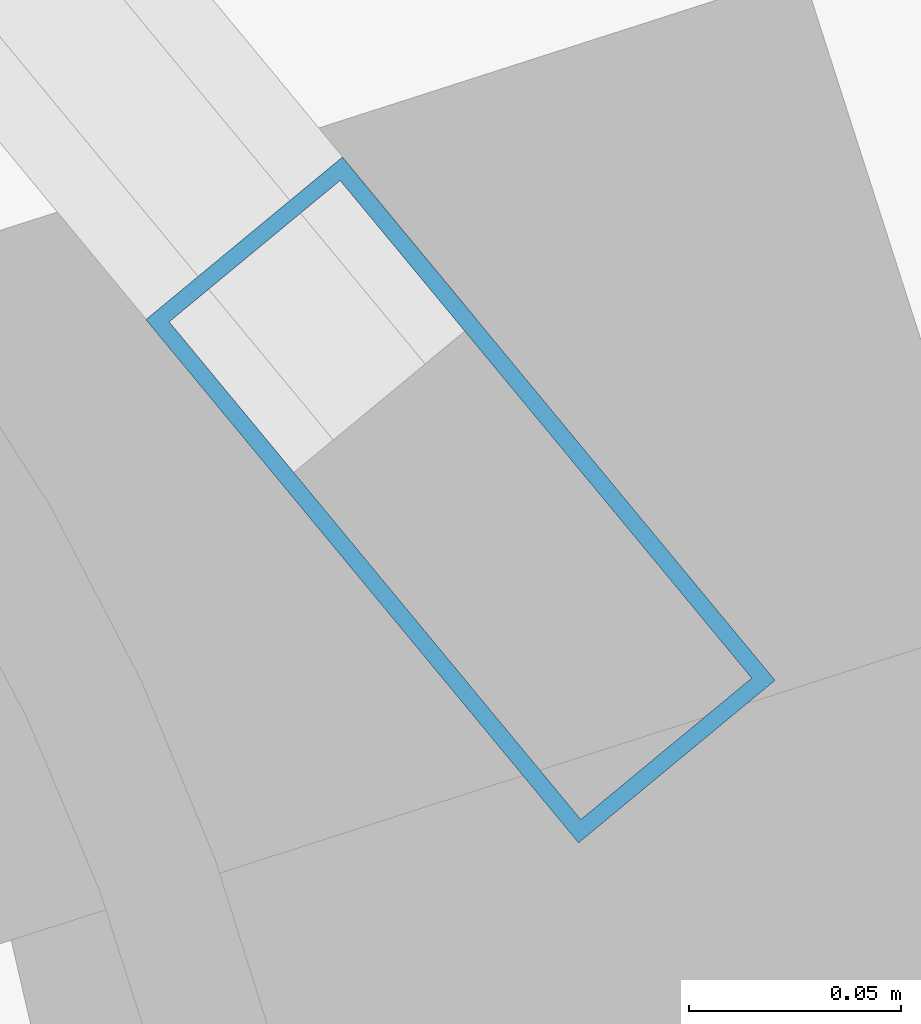
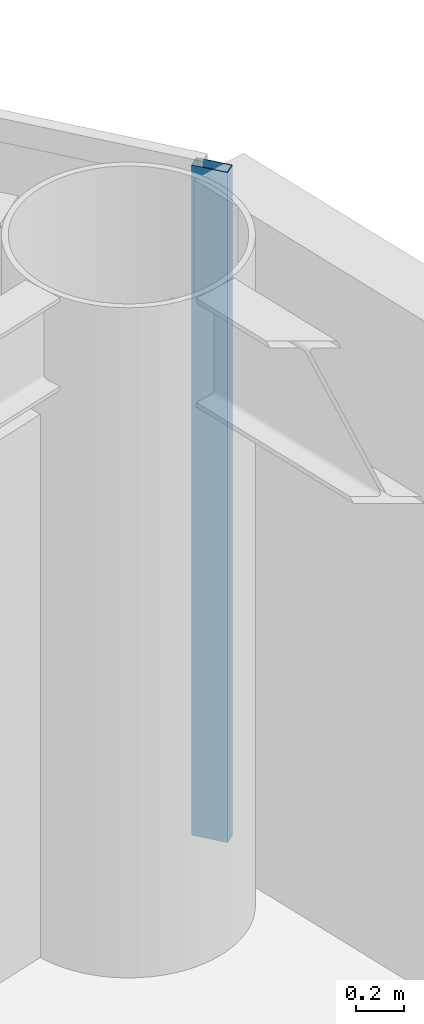
# One storey, part 9 of 28: 1 member, 1 element without a shape of its own.
"""IFC4 building model written with IfcOpenShell, lengths in metres."""

from ifc_helpers import new_model, si_unit, direction, frame, origin, origin_2d, place, context, subcontext, project, spatial, hollow_rectangle, extrude, material, layer, layer_set, material_profile, profile_set, type_object, element, aggregate, save


model = new_model("IFC4")

# Units and contexts
model_context = context("Model", 3, precision=1e-05, world=origin(), true_north=direction((0.0, 1.0)))
body_context = subcontext(model_context, "Body", "Model", "MODEL_VIEW")
ifc_project = project(units=[si_unit("LENGTHUNIT", "METRE"), si_unit("AREAUNIT", "SQUARE_METRE"), si_unit("VOLUMEUNIT", "CUBIC_METRE"), si_unit("PLANEANGLEUNIT", "RADIAN"), si_unit("MASSUNIT", "GRAM", prefix="KILO")], contexts=[model_context])

# Site, building, storey
site_placement = place(None, origin())
site = spatial("IfcSite", under=ifc_project, at=site_placement, CompositionType="ELEMENT")
building_placement = place(site_placement, origin())
building = spatial("IfcBuilding", under=site, at=building_placement, Name="Sarneth Arch Tower", CompositionType="ELEMENT")
storey_placement = place(building_placement, frame((0.0, 0.0, 172.199951171875)))
storey = spatial("IfcBuildingStorey", under=building, at=storey_placement, Name="L43", CompositionType="ELEMENT", Elevation=172.199951171875)

# Curtain wall, member
ifc_material_1 = material(Name="Anodised aluminium Type AA25 and solar-control low-e laminated IGU", Category="aluminium")
ifc_layer = layer(ifc_material_1, 0.169921875)
ifc_layer_set = layer_set([ifc_layer], Name="Anodised aluminium Type AA25 and solar-control low-e laminated IGU")
curtain_wall_type = type_object("IfcCurtainWallType", Name="CW-RES-MID", PredefinedType="NOTDEFINED", material=ifc_layer_set)
curtain_wall_placement = place(storey_placement, origin())
curtain_wall = element("IfcCurtainWall", 1, at=curtain_wall_placement, inside=storey, type_object=curtain_wall_type, Name="L43 Unitised curtain wall facet 02", PredefinedType="NOTDEFINED")
ifc_material_2 = material(Name="Anodised Aluminium 6063-T6", Category="aluminium")
ifc_material_profile = material_profile(ifc_material_2, hollow_rectangle(XDim=0.06005859375, YDim=0.159912109375, WallThickness=0.00390625, at=origin_2d()), Name="AL-MULL-160x60x4")
ifc_profile_set = profile_set([ifc_material_profile], Name="Anodised Aluminium 6063-T6")
member_type = type_object("IfcMemberType", Name="CW-MULLION", PredefinedType="MULLION", material=ifc_profile_set)
member_placement = place(storey_placement, frame((73.213134765625, 50.090087890625, 0.0), z_axis=(0.0, 0.0, 1.0), x_axis=(-0.770590741276, -0.637330298558, 0.0)))
member = element("IfcMember", 2, at=member_placement, type_object=member_type, Name="CW-SYS-5 mullion 1", PredefinedType="MULLION", context=body_context, shape_type="SweptSolid", body=[
    extrude(hollow_rectangle(XDim=0.06005859375, YDim=0.159912109375, WallThickness=0.00390625, at=origin_2d()), origin(), (0.0, 0.0, 1.0), 3.380126953125),
])
aggregate(curtain_wall, [member])

save(model, "model.ifc")
